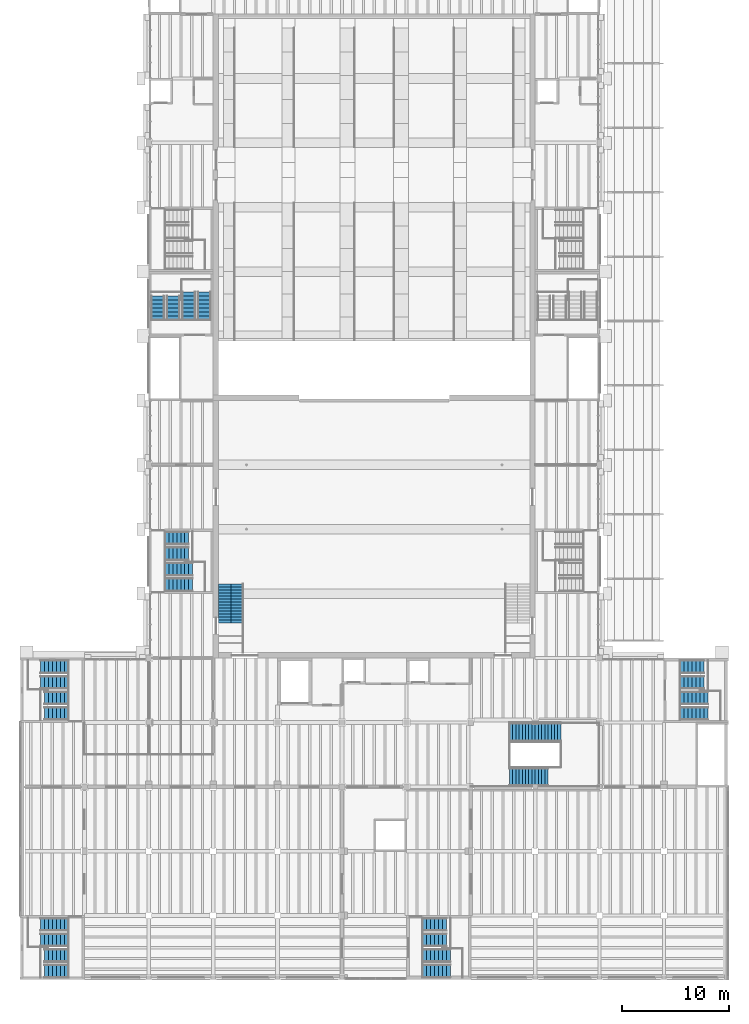
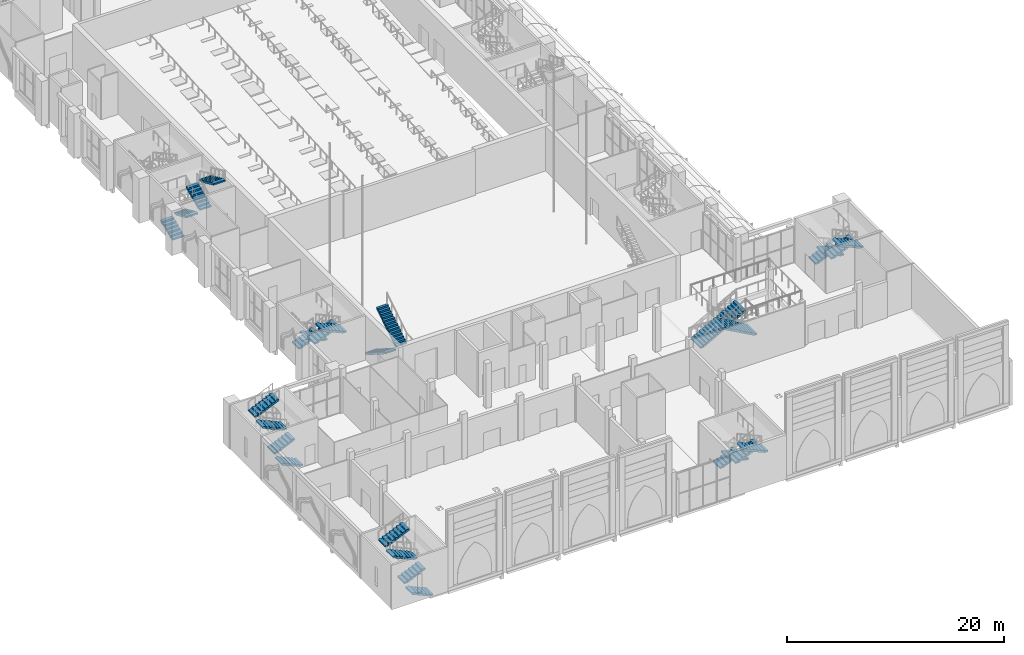
# One storey, part 47 of 80: 28 stair flights, 8 elements without a shape of their own.
"""IFC4 building model written with IfcOpenShell, lengths in metres."""

import ifcopenshell
import ifcopenshell.guid

model = None  # the IFC model being written
_history = None  # IfcOwnerHistory: only IFC2X3 demands one
_inside = {}  # id of a spatial element -> (the spatial element, [elements in it])
_under = {}  # id of a project, library or spatial element -> (it, [spatial elements below it])
_declared = {}  # id of a project -> (the project, [libraries it declares])
_typed = {}  # id of a type object -> (the type object, [elements of that type])
_made_of = {}  # id of a material, layer set ... -> (it, [elements and type objects made of it])


def new_model(schema):
    """Start an empty IFC model of exactly this schema.

    Asked for "IFC4X3", IfcOpenShell would pick the latest addendum, in which some entities
    have other attributes; the version numbers below select the first issue.
    IFC2X3 requires an IfcOwnerHistory on every rooted entity: one is made here for all.
    """
    global model, _history
    if schema == "IFC4X3":
        model = ifcopenshell.file(schema_version=(4, 3, 0, 0))
    else:
        model = ifcopenshell.file(schema=schema)
    _inside.clear()
    _under.clear()
    _declared.clear()
    _typed.clear()
    _made_of.clear()
    _history = None
    if model.schema == "IFC2X3":
        org = make("IfcOrganization", Name="unknown")
        user = make(
            "IfcPersonAndOrganization",
            ThePerson=make("IfcPerson", FamilyName="unknown"),
            TheOrganization=org,
        )
        app = make(
            "IfcApplication",
            ApplicationDeveloper=org,
            Version="unknown",
            ApplicationFullName="unknown",
            ApplicationIdentifier="unknown",
        )
        _history = make(
            "IfcOwnerHistory",
            OwningUser=user,
            OwningApplication=app,
            ChangeAction="ADDED",
            CreationDate=0,
        )
    return model


def make(cls, **values):
    """One entity of the class cls with the attributes given. An attribute that is None is left unset."""
    return model.create_entity(
        cls, **{name: value for name, value in values.items() if value is not None}
    )


def rooted(cls, **values):
    """An entity with a GlobalId (a new one), such as an element, a storey or a relation."""
    return make(cls, GlobalId=ifcopenshell.guid.new(), OwnerHistory=_history, **values)


def si_unit(unit_type, name, prefix=None):
    """IfcSIUnit, for example si_unit("LENGTHUNIT", "METRE", prefix="MILLI")."""
    return make("IfcSIUnit", UnitType=unit_type, Prefix=prefix, Name=name)


def assignment(units):
    """IfcUnitAssignment: the units of a project."""
    return None if units is None else make("IfcUnitAssignment", Units=units)


def point(xyz):
    """IfcCartesianPoint."""
    return None if xyz is None else make("IfcCartesianPoint", Coordinates=xyz)


def direction(xyz):
    """IfcDirection."""
    return None if xyz is None else make("IfcDirection", DirectionRatios=xyz)


def frame(location, z_axis=None, x_axis=None):
    """IfcAxis2Placement3D, a coordinate frame: its origin and axes. An axis left out is left unset."""
    return make(
        "IfcAxis2Placement3D",
        Location=point(location),
        Axis=direction(z_axis),
        RefDirection=direction(x_axis),
    )


def origin():
    """The frame at (0, 0, 0) with its axes left unset."""
    return frame((0.0, 0.0, 0.0))


def place(relative_to, where):
    """IfcLocalPlacement: puts the frame where relative to a parent placement (None: the world)."""
    return make(
        "IfcLocalPlacement", PlacementRelTo=relative_to, RelativePlacement=where
    )


def context(
    kind, dimensions, precision=None, world=None, true_north=None, identifier=None
):
    """IfcGeometricRepresentationContext, for example the 3D "Model" context."""
    return make(
        "IfcGeometricRepresentationContext",
        ContextIdentifier=identifier,
        ContextType=kind,
        CoordinateSpaceDimension=dimensions,
        Precision=precision,
        WorldCoordinateSystem=world,
        TrueNorth=true_north,
    )


def subcontext(parent, identifier, kind, view, scale=None):
    """IfcGeometricRepresentationSubContext, for example "Body" below "Model"."""
    return make(
        "IfcGeometricRepresentationSubContext",
        ContextIdentifier=identifier,
        ContextType=kind,
        ParentContext=parent,
        TargetScale=scale,
        TargetView=view,
    )


def project(units=None, contexts=None):
    """IfcProject with its units and contexts."""
    return rooted(
        "IfcProject",
        Name="project",
        RepresentationContexts=contexts,
        UnitsInContext=assignment(units),
    )


def spatial(cls, under=None, at=None, **own):
    """A site, building, storey or space (cls), placed at a placement, below another one or the project."""
    s = rooted(cls, ObjectPlacement=at, **own)
    if under is not None:
        _under.setdefault(under.id(), (under, []))[1].append(s)
    return s


def polyline(points):
    """IfcPolyline through the points."""
    return make("IfcPolyline", Points=[point(p) for p in points])


def outline(outer, holes=None, kind="AREA"):
    """IfcArbitraryClosedProfileDef: a profile drawn as a closed curve; with holes, ...WithVoids."""
    if holes is None:
        return make("IfcArbitraryClosedProfileDef", ProfileType=kind, OuterCurve=outer)
    return make(
        "IfcArbitraryProfileDefWithVoids",
        ProfileType=kind,
        OuterCurve=outer,
        InnerCurves=holes,
    )


def extrude(swept, where, along, depth):
    """IfcExtrudedAreaSolid: the profile swept, set in the frame where, extruded along a direction by depth."""
    return make(
        "IfcExtrudedAreaSolid",
        SweptArea=swept,
        Position=where,
        ExtrudedDirection=direction(along),
        Depth=depth,
    )


def shape(context_of_items, identifier, shape_type, items):
    """IfcShapeRepresentation: the items that make up one representation, for example the "Body"."""
    return make(
        "IfcShapeRepresentation",
        ContextOfItems=context_of_items,
        RepresentationIdentifier=identifier,
        RepresentationType=shape_type,
        Items=items,
    )


def material(Name=None, Category=None):
    """IfcMaterial."""
    return make("IfcMaterial", Name=Name, Category=Category)


def made_of(thing, what):
    """Note that an element or type object is made of a material, layer set ...; save() writes the relation."""
    if what is not None:
        _made_of.setdefault(what.id(), (what, []))[1].append(thing)
    return thing


def type_object(cls, material=None, **own):
    """A type object (cls), such as IfcWallType, which elements share."""
    return made_of(rooted(cls, **own), material)


def element(
    cls,
    number,
    at=None,
    inside=None,
    cuts=None,
    type_object=None,
    material=None,
    context=None,
    identifier="Body",
    shape_type=None,
    held_by="IfcProductDefinitionShape",
    body=None,
    shapes=None,
    **own,
):
    """One element of the class cls, such as IfcWall. Its Tag is "e" and its number.

    at: its placement. inside: the storey or other place that contains it. cuts: it is an
    opening in that element (IfcRelVoidsElement). A single representation is given by context,
    identifier, shape_type and body (its items); several are given by shapes. held_by: the class
    of the entity that holds the representations. save() writes the other relations.
    """
    e = rooted(cls, Tag="e%d" % number, ObjectPlacement=at, **own)
    if body is not None:
        shapes = [shape(context, identifier, shape_type, body)]
    if shapes is not None:
        e.Representation = make(held_by, Representations=shapes)
    if inside is not None:
        _inside.setdefault(inside.id(), (inside, []))[1].append(e)
    if cuts is not None:
        rooted(
            "IfcRelVoidsElement", RelatingBuildingElement=cuts, RelatedOpeningElement=e
        )
    if type_object is not None:
        _typed.setdefault(type_object.id(), (type_object, []))[1].append(e)
    return made_of(e, material)


def aggregate(whole, parts):
    """IfcRelAggregates: a whole, such as a stair, and the parts it consists of."""
    return rooted("IfcRelAggregates", RelatingObject=whole, RelatedObjects=parts)


def save(model, path):
    """Write the relations noted so far, then the file.

    IfcRelAggregates (storeys below a building ...), IfcRelContainedInSpatialStructure (elements
    in a storey), IfcRelDefinesByType, IfcRelAssociatesMaterial and IfcRelDeclares: one each for
    every whole, place, type object, material and project.
    """
    for whole, parts in _under.values():
        aggregate(whole, parts)
    for where, things in _inside.values():
        rooted(
            "IfcRelContainedInSpatialStructure",
            RelatedElements=things,
            RelatingStructure=where,
        )
    for kind, things in _typed.values():
        rooted("IfcRelDefinesByType", RelatedObjects=things, RelatingType=kind)
    for what, things in _made_of.values():
        rooted("IfcRelAssociatesMaterial", RelatedObjects=things, RelatingMaterial=what)
    for by, libraries in _declared.values():
        rooted("IfcRelDeclares", RelatingContext=by, RelatedDefinitions=libraries)
    model.write(path)


model = new_model("IFC4")

# Units and contexts
model_context = context("Model", 3, precision=1e-05, world=origin(), true_north=direction((0.0, 1.0)))
body_context = subcontext(model_context, "Body", "Model", "MODEL_VIEW")
ifc_project = project(units=[si_unit("LENGTHUNIT", "METRE"), si_unit("AREAUNIT", "SQUARE_METRE"), si_unit("VOLUMEUNIT", "CUBIC_METRE"), si_unit("PLANEANGLEUNIT", "RADIAN"), si_unit("MASSUNIT", "GRAM", prefix="KILO")], contexts=[model_context])

# Site, building, storey
site_placement = place(None, origin())
site = spatial("IfcSite", under=ifc_project, at=site_placement, CompositionType="ELEMENT")
building_placement = place(site_placement, origin())
building = spatial("IfcBuilding", under=site, at=building_placement, Name="Saffron Lane Theatres", CompositionType="ELEMENT")
storey_placement = place(building_placement, frame((0.0, 0.0, 7.0)))
storey = spatial("IfcBuildingStorey", under=building, at=storey_placement, Name="L01", CompositionType="ELEMENT", Elevation=7.0)

# Stair, stair flights
ifc_material_1 = material(Name="Steel Grade 350 stair", Category="steel")
stair_type_1 = type_object("IfcStairType", Name="ST-STEEL STAIR", PredefinedType="HALF_TURN_STAIR", material=ifc_material_1)
stair_1_placement = place(storey_placement, origin())
stair_1 = element("IfcStair", 1, at=stair_1_placement, inside=storey, type_object=stair_type_1, Name="STG1", PredefinedType="HALF_TURN_STAIR")
ifc_material_2 = material(Name="Steel Grade 350 stair", Category="steel")
stair_flight_type_1 = type_object("IfcStairFlightType", Name="ST-STEEL STAIR FLIGHT", PredefinedType="STRAIGHT", material=ifc_material_2)
stair_flight_1_placement = place(storey_placement, frame((19.074951171875, 36.89990234375, 0.0), z_axis=(0.0, 0.0, 1.0), x_axis=(0.0, -1.0, 0.0)))
stair_flight_1 = element("IfcStairFlight", 2, at=stair_flight_1_placement, type_object=stair_flight_type_1, Name="STG1 flight 1", NumberOfRisers=14, NumberOfTreads=13, PredefinedType="STRAIGHT", RiserHeight=0.178571, TreadLength=0.28, context=body_context, shape_type="SweptSolid", body=[
    extrude(outline(polyline([(0.0, 0.0), (0.0, 0.178466796875), (0.280029296875, 0.178466796875), (0.280029296875, 0.357177734375), (0.56005859375, 0.357177734375), (0.56005859375, 0.53564453125), (0.840087890625, 0.53564453125), (0.840087890625, 0.71435546875), (1.1201171875, 0.71435546875), (1.1201171875, 0.892822265625), (1.39990234375, 0.892822265625), (1.39990234375, 1.071533203125), (1.679931640625, 1.071533203125), (1.679931640625, 1.25), (1.9599609375, 1.25), (1.9599609375, 1.428466796875), (2.239990234375, 1.428466796875), (2.239990234375, 1.607177734375), (2.52001953125, 1.607177734375), (2.52001953125, 1.78564453125), (2.800048828125, 1.78564453125), (2.800048828125, 1.96435546875), (3.080078125, 1.96435546875), (3.080078125, 2.142822265625), (3.360107421875, 2.142822265625), (3.360107421875, 2.321533203125), (3.639892578125, 2.321533203125), (3.639892578125, 2.5), (3.639892578125, 2.1435546875), (0.27880859375, 0.0), (0.0, 0.0)])), frame((0.0, 0.574951171875, 0.0), z_axis=(0.0, -1.0, 0.0), x_axis=(1.0, 0.0, 0.0)), (0.0, 0.0, 1.0), 1.14990234375),
])
stair_flight_2_placement = place(storey_placement, frame((20.22509765625, 33.260009765625, 2.5), z_axis=(0.0, 0.0, 1.0), x_axis=(0.0, 1.0, 0.0)))
stair_flight_2 = element("IfcStairFlight", 3, at=stair_flight_2_placement, type_object=stair_flight_type_1, Name="STG1 flight 2", NumberOfRisers=14, NumberOfTreads=13, PredefinedType="STRAIGHT", RiserHeight=0.178571, TreadLength=0.28, context=body_context, shape_type="SweptSolid", body=[
    extrude(outline(polyline([(0.0, 0.0), (0.0, 0.178466796875), (0.280029296875, 0.178466796875), (0.280029296875, 0.357177734375), (0.56005859375, 0.357177734375), (0.56005859375, 0.53564453125), (0.840087890625, 0.53564453125), (0.840087890625, 0.71435546875), (1.1201171875, 0.71435546875), (1.1201171875, 0.892822265625), (1.39990234375, 0.892822265625), (1.39990234375, 1.071533203125), (1.679931640625, 1.071533203125), (1.679931640625, 1.25), (1.9599609375, 1.25), (1.9599609375, 1.428466796875), (2.239990234375, 1.428466796875), (2.239990234375, 1.607177734375), (2.52001953125, 1.607177734375), (2.52001953125, 1.78564453125), (2.800048828125, 1.78564453125), (2.800048828125, 1.96435546875), (3.080078125, 1.96435546875), (3.080078125, 2.142822265625), (3.360107421875, 2.142822265625), (3.360107421875, 2.321533203125), (3.639892578125, 2.321533203125), (3.639892578125, 2.5), (3.639892578125, 2.1435546875), (0.27880859375, 0.0), (0.0, 0.0)])), frame((0.0, 0.574951171875, 0.0), z_axis=(0.0, -1.0, 0.0), x_axis=(1.0, 0.0, 0.0)), (0.0, 0.0, 1.0), 1.14990234375),
])
aggregate(stair_1, [stair_flight_1, stair_flight_2])

ifc_material_3 = material(Name="Concrete N40 (40 MPa)", Category="concrete")
stair_type_2 = type_object("IfcStairType", Name="VC-STAIR EXIT", PredefinedType="TWO_STRAIGHT_RUN_STAIR", material=ifc_material_3)
stair_2_placement = place(storey_placement, origin())
stair_2 = element("IfcStair", 4, at=stair_2_placement, inside=storey, type_object=stair_type_2, Name="Auditorium West Front Stair L01 to L02", PredefinedType="TWO_STRAIGHT_RUN_STAIR")
ifc_material_4 = material(Name="Concrete N40 (40 MPa)", Category="concrete")
stair_flight_type_2 = type_object("IfcStairFlightType", Name="VC-FLIGHT 1250", PredefinedType="STRAIGHT", material=ifc_material_4)
stair_flight_3_placement = place(storey_placement, frame((12.824951171875, 61.5, 0.0), z_axis=(0.0, 0.0, 1.0), x_axis=(0.0, 1.0, 0.0)))
stair_flight_3 = element("IfcStairFlight", 5, at=stair_flight_3_placement, type_object=stair_flight_type_2, Name="Auditorium West Front Stair flight 2.1", NumberOfRisers=7, NumberOfTreads=6, PredefinedType="STRAIGHT", RiserHeight=0.166666667, TreadLength=0.37, context=body_context, shape_type="SweptSolid", body=[
    extrude(outline(polyline([(0.0, 0.0), (0.0, 0.166748046875), (0.3701171875, 0.166748046875), (0.3701171875, 0.333251953125), (0.739990234375, 0.333251953125), (0.739990234375, 0.5), (1.110107421875, 0.5), (1.110107421875, 0.666748046875), (1.47998046875, 0.666748046875), (1.47998046875, 0.833251953125), (1.85009765625, 0.833251953125), (1.85009765625, 1.0), (2.219970703125, 1.0), (2.219970703125, 1.166748046875), (2.219970703125, 0.835693359375), (0.364990234375, 0.0), (0.0, 0.0)])), frame((0.0, 0.625, 0.0), z_axis=(0.0, -1.0, 0.0), x_axis=(1.0, 0.0, 0.0)), (0.0, 0.0, 1.0), 1.25),
])
stair_flight_4_placement = place(storey_placement, frame((14.27490234375, 63.719970703125, 1.166748046875), z_axis=(0.0, 0.0, 1.0), x_axis=(0.0, -1.0, 0.0)))
stair_flight_4 = element("IfcStairFlight", 6, at=stair_flight_4_placement, type_object=stair_flight_type_2, Name="Auditorium West Front Stair flight 2.2", NumberOfRisers=7, NumberOfTreads=6, PredefinedType="STRAIGHT", RiserHeight=0.166666667, TreadLength=0.37, context=body_context, shape_type="SweptSolid", body=[
    extrude(outline(polyline([(0.0, 0.0), (0.0, 0.166748046875), (0.3701171875, 0.166748046875), (0.3701171875, 0.333251953125), (0.739990234375, 0.333251953125), (0.739990234375, 0.5), (1.110107421875, 0.5), (1.110107421875, 0.666748046875), (1.47998046875, 0.666748046875), (1.47998046875, 0.833251953125), (1.85009765625, 0.833251953125), (1.85009765625, 1.0), (2.219970703125, 1.0), (2.219970703125, 1.166748046875), (2.219970703125, 0.835693359375), (0.364990234375, 0.0), (0.0, 0.0)])), frame((0.0, 0.625, 0.0), z_axis=(0.0, -1.0, 0.0), x_axis=(1.0, 0.0, 0.0)), (0.0, 0.0, 1.0), 1.25),
])
stair_flight_5_placement = place(storey_placement, frame((15.72509765625, 61.5, 2.333251953125), z_axis=(0.0, 0.0, 1.0), x_axis=(0.0, 1.0, 0.0)))
stair_flight_5 = element("IfcStairFlight", 7, at=stair_flight_5_placement, type_object=stair_flight_type_2, Name="Auditorium West Front Stair flight 2.3", NumberOfRisers=8, NumberOfTreads=7, PredefinedType="STRAIGHT", RiserHeight=0.166666667, TreadLength=0.37, context=body_context, shape_type="SweptSolid", body=[
    extrude(outline(polyline([(0.0, 0.0), (0.0, 0.166748046875), (0.3701171875, 0.166748046875), (0.3701171875, 0.333251953125), (0.739990234375, 0.333251953125), (0.739990234375, 0.5), (1.110107421875, 0.5), (1.110107421875, 0.666748046875), (1.47998046875, 0.666748046875), (1.47998046875, 0.833251953125), (1.85009765625, 0.833251953125), (1.85009765625, 1.0), (2.219970703125, 1.0), (2.219970703125, 1.166748046875), (2.590087890625, 1.166748046875), (2.590087890625, 1.333251953125), (2.590087890625, 1.002197265625), (0.364990234375, 0.0), (0.0, 0.0)])), frame((0.0, 0.625, 0.0), z_axis=(0.0, -1.0, 0.0), x_axis=(1.0, 0.0, 0.0)), (0.0, 0.0, 1.0), 1.25),
])
stair_flight_6_placement = place(storey_placement, frame((17.175048828125, 64.090087890625, 3.666748046875), z_axis=(0.0, 0.0, 1.0), x_axis=(0.0, -1.0, 0.0)))
stair_flight_6 = element("IfcStairFlight", 8, at=stair_flight_6_placement, type_object=stair_flight_type_2, Name="Auditorium West Front Stair flight 2.4", NumberOfRisers=8, NumberOfTreads=7, PredefinedType="STRAIGHT", RiserHeight=0.166666667, TreadLength=0.37, context=body_context, shape_type="SweptSolid", body=[
    extrude(outline(polyline([(0.0, 0.0), (0.0, 0.166748046875), (0.3701171875, 0.166748046875), (0.3701171875, 0.333251953125), (0.739990234375, 0.333251953125), (0.739990234375, 0.5), (1.110107421875, 0.5), (1.110107421875, 0.666748046875), (1.47998046875, 0.666748046875), (1.47998046875, 0.833251953125), (1.85009765625, 0.833251953125), (1.85009765625, 1.0), (2.219970703125, 1.0), (2.219970703125, 1.166748046875), (2.590087890625, 1.166748046875), (2.590087890625, 1.333251953125), (2.590087890625, 1.002197265625), (0.364990234375, 0.0), (0.0, 0.0)])), frame((0.0, 0.625, 0.0), z_axis=(0.0, -1.0, 0.0), x_axis=(1.0, 0.0, 0.0)), (0.0, 0.0, 1.0), 1.25),
])
aggregate(stair_2, [stair_flight_3, stair_flight_4, stair_flight_5, stair_flight_6])

stair_3_placement = place(storey_placement, origin())
stair_3 = element("IfcStair", 9, at=stair_3_placement, inside=storey, type_object=stair_type_2, Name="Stage West Stair L01 to L02", PredefinedType="TWO_STRAIGHT_RUN_STAIR")
stair_flight_7_placement = place(storey_placement, frame((13.5, 41.175048828125, 0.0), z_axis=(0.0, 0.0, 1.0), x_axis=(1.0, 0.0, 0.0)))
stair_flight_7 = element("IfcStairFlight", 10, at=stair_flight_7_placement, type_object=stair_flight_type_2, Name="Stage West Stair flight 2.1", NumberOfRisers=7, NumberOfTreads=6, PredefinedType="STRAIGHT", RiserHeight=0.166666667, TreadLength=0.37, context=body_context, shape_type="SweptSolid", body=[
    extrude(outline(polyline([(0.0, 0.0), (0.0, 0.166748046875), (0.3701171875, 0.166748046875), (0.3701171875, 0.333251953125), (0.739990234375, 0.333251953125), (0.739990234375, 0.5), (1.110107421875, 0.5), (1.110107421875, 0.666748046875), (1.47998046875, 0.666748046875), (1.47998046875, 0.833251953125), (1.85009765625, 0.833251953125), (1.85009765625, 1.0), (2.219970703125, 1.0), (2.219970703125, 1.166748046875), (2.219970703125, 0.835693359375), (0.364990234375, 0.0), (0.0, 0.0)])), frame((0.0, 0.625, 0.0), z_axis=(0.0, -1.0, 0.0), x_axis=(1.0, 0.0, 0.0)), (0.0, 0.0, 1.0), 1.25),
])
stair_flight_8_placement = place(storey_placement, frame((15.719970703125, 39.72509765625, 1.166748046875), z_axis=(0.0, 0.0, 1.0), x_axis=(-1.0, 0.0, 0.0)))
stair_flight_8 = element("IfcStairFlight", 11, at=stair_flight_8_placement, type_object=stair_flight_type_2, Name="Stage West Stair flight 2.2", NumberOfRisers=7, NumberOfTreads=6, PredefinedType="STRAIGHT", RiserHeight=0.166666667, TreadLength=0.37, context=body_context, shape_type="SweptSolid", body=[
    extrude(outline(polyline([(0.0, 0.0), (0.0, 0.166748046875), (0.3701171875, 0.166748046875), (0.3701171875, 0.333251953125), (0.739990234375, 0.333251953125), (0.739990234375, 0.5), (1.110107421875, 0.5), (1.110107421875, 0.666748046875), (1.47998046875, 0.666748046875), (1.47998046875, 0.833251953125), (1.85009765625, 0.833251953125), (1.85009765625, 1.0), (2.219970703125, 1.0), (2.219970703125, 1.166748046875), (2.219970703125, 0.835693359375), (0.364990234375, 0.0), (0.0, 0.0)])), frame((0.0, 0.625, 0.0), z_axis=(0.0, -1.0, 0.0), x_axis=(1.0, 0.0, 0.0)), (0.0, 0.0, 1.0), 1.25),
])
stair_flight_9_placement = place(storey_placement, frame((13.5, 38.27490234375, 2.333251953125), z_axis=(0.0, 0.0, 1.0), x_axis=(1.0, 0.0, 0.0)))
stair_flight_9 = element("IfcStairFlight", 12, at=stair_flight_9_placement, type_object=stair_flight_type_2, Name="Stage West Stair flight 2.3", NumberOfRisers=8, NumberOfTreads=7, PredefinedType="STRAIGHT", RiserHeight=0.166666667, TreadLength=0.37, context=body_context, shape_type="SweptSolid", body=[
    extrude(outline(polyline([(0.0, 0.0), (0.0, 0.166748046875), (0.3701171875, 0.166748046875), (0.3701171875, 0.333251953125), (0.739990234375, 0.333251953125), (0.739990234375, 0.5), (1.110107421875, 0.5), (1.110107421875, 0.666748046875), (1.47998046875, 0.666748046875), (1.47998046875, 0.833251953125), (1.85009765625, 0.833251953125), (1.85009765625, 1.0), (2.219970703125, 1.0), (2.219970703125, 1.166748046875), (2.590087890625, 1.166748046875), (2.590087890625, 1.333251953125), (2.590087890625, 1.002197265625), (0.364990234375, 0.0), (0.0, 0.0)])), frame((0.0, 0.625, 0.0), z_axis=(0.0, -1.0, 0.0), x_axis=(1.0, 0.0, 0.0)), (0.0, 0.0, 1.0), 1.25),
])
stair_flight_10_placement = place(storey_placement, frame((16.090087890625, 36.824951171875, 3.666748046875), z_axis=(0.0, 0.0, 1.0), x_axis=(-1.0, 0.0, 0.0)))
stair_flight_10 = element("IfcStairFlight", 13, at=stair_flight_10_placement, type_object=stair_flight_type_2, Name="Stage West Stair flight 2.4", NumberOfRisers=8, NumberOfTreads=7, PredefinedType="STRAIGHT", RiserHeight=0.166666667, TreadLength=0.37, context=body_context, shape_type="SweptSolid", body=[
    extrude(outline(polyline([(0.0, 0.0), (0.0, 0.166748046875), (0.3701171875, 0.166748046875), (0.3701171875, 0.333251953125), (0.739990234375, 0.333251953125), (0.739990234375, 0.5), (1.110107421875, 0.5), (1.110107421875, 0.666748046875), (1.47998046875, 0.666748046875), (1.47998046875, 0.833251953125), (1.85009765625, 0.833251953125), (1.85009765625, 1.0), (2.219970703125, 1.0), (2.219970703125, 1.166748046875), (2.590087890625, 1.166748046875), (2.590087890625, 1.333251953125), (2.590087890625, 1.002197265625), (0.364990234375, 0.0), (0.0, 0.0)])), frame((0.0, 0.625, 0.0), z_axis=(0.0, -1.0, 0.0), x_axis=(1.0, 0.0, 0.0)), (0.0, 0.0, 1.0), 1.25),
])
aggregate(stair_3, [stair_flight_7, stair_flight_8, stair_flight_9, stair_flight_10])

stair_4_placement = place(storey_placement, origin())
stair_4 = element("IfcStair", 14, at=stair_4_placement, inside=storey, type_object=stair_type_2, Name="Workshop South West Stair L01 to L02", PredefinedType="TWO_STRAIGHT_RUN_STAIR")
stair_flight_11_placement = place(storey_placement, frame((4.5, 0.824951171875, 0.0), z_axis=(0.0, 0.0, 1.0), x_axis=(-1.0, 0.0, 0.0)))
stair_flight_11 = element("IfcStairFlight", 15, at=stair_flight_11_placement, type_object=stair_flight_type_2, Name="Workshop South West Stair flight 2.1", NumberOfRisers=7, NumberOfTreads=6, PredefinedType="STRAIGHT", RiserHeight=0.166666667, TreadLength=0.37, context=body_context, shape_type="SweptSolid", body=[
    extrude(outline(polyline([(0.0, 0.0), (0.0, 0.166748046875), (0.3701171875, 0.166748046875), (0.3701171875, 0.333251953125), (0.739990234375, 0.333251953125), (0.739990234375, 0.5), (1.110107421875, 0.5), (1.110107421875, 0.666748046875), (1.47998046875, 0.666748046875), (1.47998046875, 0.833251953125), (1.85009765625, 0.833251953125), (1.85009765625, 1.0), (2.219970703125, 1.0), (2.219970703125, 1.166748046875), (2.219970703125, 0.835693359375), (0.364990234375, 0.0), (0.0, 0.0)])), frame((0.0, 0.625, 0.0), z_axis=(0.0, -1.0, 0.0), x_axis=(1.0, 0.0, 0.0)), (0.0, 0.0, 1.0), 1.25),
])
stair_flight_12_placement = place(storey_placement, frame((2.280029296875, 2.27490234375, 1.166748046875), z_axis=(0.0, 0.0, 1.0), x_axis=(1.0, 0.0, 0.0)))
stair_flight_12 = element("IfcStairFlight", 16, at=stair_flight_12_placement, type_object=stair_flight_type_2, Name="Workshop South West Stair flight 2.2", NumberOfRisers=7, NumberOfTreads=6, PredefinedType="STRAIGHT", RiserHeight=0.166666667, TreadLength=0.37, context=body_context, shape_type="SweptSolid", body=[
    extrude(outline(polyline([(0.0, 0.0), (0.0, 0.166748046875), (0.3701171875, 0.166748046875), (0.3701171875, 0.333251953125), (0.739990234375, 0.333251953125), (0.739990234375, 0.5), (1.110107421875, 0.5), (1.110107421875, 0.666748046875), (1.47998046875, 0.666748046875), (1.47998046875, 0.833251953125), (1.85009765625, 0.833251953125), (1.85009765625, 1.0), (2.219970703125, 1.0), (2.219970703125, 1.166748046875), (2.219970703125, 0.835693359375), (0.364990234375, 0.0), (0.0, 0.0)])), frame((0.0, 0.625, 0.0), z_axis=(0.0, -1.0, 0.0), x_axis=(1.0, 0.0, 0.0)), (0.0, 0.0, 1.0), 1.25),
])
stair_flight_13_placement = place(storey_placement, frame((4.5, 3.72509765625, 2.333251953125), z_axis=(0.0, 0.0, 1.0), x_axis=(-1.0, 0.0, 0.0)))
stair_flight_13 = element("IfcStairFlight", 17, at=stair_flight_13_placement, type_object=stair_flight_type_2, Name="Workshop South West Stair flight 2.3", NumberOfRisers=8, NumberOfTreads=7, PredefinedType="STRAIGHT", RiserHeight=0.166666667, TreadLength=0.37, context=body_context, shape_type="SweptSolid", body=[
    extrude(outline(polyline([(0.0, 0.0), (0.0, 0.166748046875), (0.3701171875, 0.166748046875), (0.3701171875, 0.333251953125), (0.739990234375, 0.333251953125), (0.739990234375, 0.5), (1.110107421875, 0.5), (1.110107421875, 0.666748046875), (1.47998046875, 0.666748046875), (1.47998046875, 0.833251953125), (1.85009765625, 0.833251953125), (1.85009765625, 1.0), (2.219970703125, 1.0), (2.219970703125, 1.166748046875), (2.590087890625, 1.166748046875), (2.590087890625, 1.333251953125), (2.590087890625, 1.002197265625), (0.364990234375, 0.0), (0.0, 0.0)])), frame((0.0, 0.625, 0.0), z_axis=(0.0, -1.0, 0.0), x_axis=(1.0, 0.0, 0.0)), (0.0, 0.0, 1.0), 1.25),
])
stair_flight_14_placement = place(storey_placement, frame((1.909912109375, 5.175048828125, 3.666748046875), z_axis=(0.0, 0.0, 1.0), x_axis=(1.0, 0.0, 0.0)))
stair_flight_14 = element("IfcStairFlight", 18, at=stair_flight_14_placement, type_object=stair_flight_type_2, Name="Workshop South West Stair flight 2.4", NumberOfRisers=8, NumberOfTreads=7, PredefinedType="STRAIGHT", RiserHeight=0.166666667, TreadLength=0.37, context=body_context, shape_type="SweptSolid", body=[
    extrude(outline(polyline([(0.0, 0.0), (0.0, 0.166748046875), (0.3701171875, 0.166748046875), (0.3701171875, 0.333251953125), (0.739990234375, 0.333251953125), (0.739990234375, 0.5), (1.110107421875, 0.5), (1.110107421875, 0.666748046875), (1.47998046875, 0.666748046875), (1.47998046875, 0.833251953125), (1.85009765625, 0.833251953125), (1.85009765625, 1.0), (2.219970703125, 1.0), (2.219970703125, 1.166748046875), (2.590087890625, 1.166748046875), (2.590087890625, 1.333251953125), (2.590087890625, 1.002197265625), (0.364990234375, 0.0), (0.0, 0.0)])), frame((0.0, 0.625, 0.0), z_axis=(0.0, -1.0, 0.0), x_axis=(1.0, 0.0, 0.0)), (0.0, 0.0, 1.0), 1.25),
])
aggregate(stair_4, [stair_flight_11, stair_flight_12, stair_flight_13, stair_flight_14])

stair_5_placement = place(storey_placement, origin())
stair_5 = element("IfcStair", 19, at=stair_5_placement, inside=storey, type_object=stair_type_2, Name="Studio South Stair L01 to L02", PredefinedType="TWO_STRAIGHT_RUN_STAIR")
stair_flight_15_placement = place(storey_placement, frame((37.5, 5.175048828125, 0.0), z_axis=(0.0, 0.0, 1.0), x_axis=(1.0, 0.0, 0.0)))
stair_flight_15 = element("IfcStairFlight", 20, at=stair_flight_15_placement, type_object=stair_flight_type_2, Name="Studio South Stair flight 2.1", NumberOfRisers=7, NumberOfTreads=6, PredefinedType="STRAIGHT", RiserHeight=0.166666667, TreadLength=0.37, context=body_context, shape_type="SweptSolid", body=[
    extrude(outline(polyline([(0.0, 0.0), (0.0, 0.166748046875), (0.3701171875, 0.166748046875), (0.3701171875, 0.333251953125), (0.739990234375, 0.333251953125), (0.739990234375, 0.5), (1.110107421875, 0.5), (1.110107421875, 0.666748046875), (1.47998046875, 0.666748046875), (1.47998046875, 0.833251953125), (1.85009765625, 0.833251953125), (1.85009765625, 1.0), (2.219970703125, 1.0), (2.219970703125, 1.166748046875), (2.219970703125, 0.835693359375), (0.364990234375, 0.0), (0.0, 0.0)])), frame((0.0, 0.625, 0.0), z_axis=(0.0, -1.0, 0.0), x_axis=(1.0, 0.0, 0.0)), (0.0, 0.0, 1.0), 1.25),
])
stair_flight_16_placement = place(storey_placement, frame((39.719970703125, 3.72509765625, 1.166748046875), z_axis=(0.0, 0.0, 1.0), x_axis=(-1.0, 0.0, 0.0)))
stair_flight_16 = element("IfcStairFlight", 21, at=stair_flight_16_placement, type_object=stair_flight_type_2, Name="Studio South Stair flight 2.2", NumberOfRisers=7, NumberOfTreads=6, PredefinedType="STRAIGHT", RiserHeight=0.166666667, TreadLength=0.37, context=body_context, shape_type="SweptSolid", body=[
    extrude(outline(polyline([(0.0, 0.0), (0.0, 0.166748046875), (0.3701171875, 0.166748046875), (0.3701171875, 0.333251953125), (0.739990234375, 0.333251953125), (0.739990234375, 0.5), (1.110107421875, 0.5), (1.110107421875, 0.666748046875), (1.47998046875, 0.666748046875), (1.47998046875, 0.833251953125), (1.85009765625, 0.833251953125), (1.85009765625, 1.0), (2.219970703125, 1.0), (2.219970703125, 1.166748046875), (2.219970703125, 0.835693359375), (0.364990234375, 0.0), (0.0, 0.0)])), frame((0.0, 0.625, 0.0), z_axis=(0.0, -1.0, 0.0), x_axis=(1.0, 0.0, 0.0)), (0.0, 0.0, 1.0), 1.25),
])
stair_flight_17_placement = place(storey_placement, frame((37.5, 2.27490234375, 2.333251953125), z_axis=(0.0, 0.0, 1.0), x_axis=(1.0, 0.0, 0.0)))
stair_flight_17 = element("IfcStairFlight", 22, at=stair_flight_17_placement, type_object=stair_flight_type_2, Name="Studio South Stair flight 2.3", NumberOfRisers=8, NumberOfTreads=7, PredefinedType="STRAIGHT", RiserHeight=0.166666667, TreadLength=0.37, context=body_context, shape_type="SweptSolid", body=[
    extrude(outline(polyline([(0.0, 0.0), (0.0, 0.166748046875), (0.3701171875, 0.166748046875), (0.3701171875, 0.333251953125), (0.739990234375, 0.333251953125), (0.739990234375, 0.5), (1.110107421875, 0.5), (1.110107421875, 0.666748046875), (1.47998046875, 0.666748046875), (1.47998046875, 0.833251953125), (1.85009765625, 0.833251953125), (1.85009765625, 1.0), (2.219970703125, 1.0), (2.219970703125, 1.166748046875), (2.590087890625, 1.166748046875), (2.590087890625, 1.333251953125), (2.590087890625, 1.002197265625), (0.364990234375, 0.0), (0.0, 0.0)])), frame((0.0, 0.625, 0.0), z_axis=(0.0, -1.0, 0.0), x_axis=(1.0, 0.0, 0.0)), (0.0, 0.0, 1.0), 1.25),
])
stair_flight_18_placement = place(storey_placement, frame((40.090087890625, 0.824951171875, 3.666748046875), z_axis=(0.0, 0.0, 1.0), x_axis=(-1.0, 0.0, 0.0)))
stair_flight_18 = element("IfcStairFlight", 23, at=stair_flight_18_placement, type_object=stair_flight_type_2, Name="Studio South Stair flight 2.4", NumberOfRisers=8, NumberOfTreads=7, PredefinedType="STRAIGHT", RiserHeight=0.166666667, TreadLength=0.37, context=body_context, shape_type="SweptSolid", body=[
    extrude(outline(polyline([(0.0, 0.0), (0.0, 0.166748046875), (0.3701171875, 0.166748046875), (0.3701171875, 0.333251953125), (0.739990234375, 0.333251953125), (0.739990234375, 0.5), (1.110107421875, 0.5), (1.110107421875, 0.666748046875), (1.47998046875, 0.666748046875), (1.47998046875, 0.833251953125), (1.85009765625, 0.833251953125), (1.85009765625, 1.0), (2.219970703125, 1.0), (2.219970703125, 1.166748046875), (2.590087890625, 1.166748046875), (2.590087890625, 1.333251953125), (2.590087890625, 1.002197265625), (0.364990234375, 0.0), (0.0, 0.0)])), frame((0.0, 0.625, 0.0), z_axis=(0.0, -1.0, 0.0), x_axis=(1.0, 0.0, 0.0)), (0.0, 0.0, 1.0), 1.25),
])
aggregate(stair_5, [stair_flight_15, stair_flight_16, stair_flight_17, stair_flight_18])

stair_6_placement = place(storey_placement, origin())
stair_6 = element("IfcStair", 24, at=stair_6_placement, inside=storey, type_object=stair_type_2, Name="Workshop North Stair L01 to L02", PredefinedType="TWO_STRAIGHT_RUN_STAIR")
stair_flight_19_placement = place(storey_placement, frame((4.5, 24.824951171875, 0.0), z_axis=(0.0, 0.0, 1.0), x_axis=(-1.0, 0.0, 0.0)))
stair_flight_19 = element("IfcStairFlight", 25, at=stair_flight_19_placement, type_object=stair_flight_type_2, Name="Workshop North Stair flight 2.1", NumberOfRisers=7, NumberOfTreads=6, PredefinedType="STRAIGHT", RiserHeight=0.166666667, TreadLength=0.37, context=body_context, shape_type="SweptSolid", body=[
    extrude(outline(polyline([(0.0, 0.0), (0.0, 0.166748046875), (0.3701171875, 0.166748046875), (0.3701171875, 0.333251953125), (0.739990234375, 0.333251953125), (0.739990234375, 0.5), (1.110107421875, 0.5), (1.110107421875, 0.666748046875), (1.47998046875, 0.666748046875), (1.47998046875, 0.833251953125), (1.85009765625, 0.833251953125), (1.85009765625, 1.0), (2.219970703125, 1.0), (2.219970703125, 1.166748046875), (2.219970703125, 0.835693359375), (0.364990234375, 0.0), (0.0, 0.0)])), frame((0.0, 0.625, 0.0), z_axis=(0.0, -1.0, 0.0), x_axis=(1.0, 0.0, 0.0)), (0.0, 0.0, 1.0), 1.25),
])
stair_flight_20_placement = place(storey_placement, frame((2.280029296875, 26.27490234375, 1.166748046875), z_axis=(0.0, 0.0, 1.0), x_axis=(1.0, 0.0, 0.0)))
stair_flight_20 = element("IfcStairFlight", 26, at=stair_flight_20_placement, type_object=stair_flight_type_2, Name="Workshop North Stair flight 2.2", NumberOfRisers=7, NumberOfTreads=6, PredefinedType="STRAIGHT", RiserHeight=0.166666667, TreadLength=0.37, context=body_context, shape_type="SweptSolid", body=[
    extrude(outline(polyline([(0.0, 0.0), (0.0, 0.166748046875), (0.3701171875, 0.166748046875), (0.3701171875, 0.333251953125), (0.739990234375, 0.333251953125), (0.739990234375, 0.5), (1.110107421875, 0.5), (1.110107421875, 0.666748046875), (1.47998046875, 0.666748046875), (1.47998046875, 0.833251953125), (1.85009765625, 0.833251953125), (1.85009765625, 1.0), (2.219970703125, 1.0), (2.219970703125, 1.166748046875), (2.219970703125, 0.835693359375), (0.364990234375, 0.0), (0.0, 0.0)])), frame((0.0, 0.625, 0.0), z_axis=(0.0, -1.0, 0.0), x_axis=(1.0, 0.0, 0.0)), (0.0, 0.0, 1.0), 1.25),
])
stair_flight_21_placement = place(storey_placement, frame((4.5, 27.72509765625, 2.333251953125), z_axis=(0.0, 0.0, 1.0), x_axis=(-1.0, 0.0, 0.0)))
stair_flight_21 = element("IfcStairFlight", 27, at=stair_flight_21_placement, type_object=stair_flight_type_2, Name="Workshop North Stair flight 2.3", NumberOfRisers=8, NumberOfTreads=7, PredefinedType="STRAIGHT", RiserHeight=0.166666667, TreadLength=0.37, context=body_context, shape_type="SweptSolid", body=[
    extrude(outline(polyline([(0.0, 0.0), (0.0, 0.166748046875), (0.3701171875, 0.166748046875), (0.3701171875, 0.333251953125), (0.739990234375, 0.333251953125), (0.739990234375, 0.5), (1.110107421875, 0.5), (1.110107421875, 0.666748046875), (1.47998046875, 0.666748046875), (1.47998046875, 0.833251953125), (1.85009765625, 0.833251953125), (1.85009765625, 1.0), (2.219970703125, 1.0), (2.219970703125, 1.166748046875), (2.590087890625, 1.166748046875), (2.590087890625, 1.333251953125), (2.590087890625, 1.002197265625), (0.364990234375, 0.0), (0.0, 0.0)])), frame((0.0, 0.625, 0.0), z_axis=(0.0, -1.0, 0.0), x_axis=(1.0, 0.0, 0.0)), (0.0, 0.0, 1.0), 1.25),
])
stair_flight_22_placement = place(storey_placement, frame((1.909912109375, 29.175048828125, 3.666748046875), z_axis=(0.0, 0.0, 1.0), x_axis=(1.0, 0.0, 0.0)))
stair_flight_22 = element("IfcStairFlight", 28, at=stair_flight_22_placement, type_object=stair_flight_type_2, Name="Workshop North Stair flight 2.4", NumberOfRisers=8, NumberOfTreads=7, PredefinedType="STRAIGHT", RiserHeight=0.166666667, TreadLength=0.37, context=body_context, shape_type="SweptSolid", body=[
    extrude(outline(polyline([(0.0, 0.0), (0.0, 0.166748046875), (0.3701171875, 0.166748046875), (0.3701171875, 0.333251953125), (0.739990234375, 0.333251953125), (0.739990234375, 0.5), (1.110107421875, 0.5), (1.110107421875, 0.666748046875), (1.47998046875, 0.666748046875), (1.47998046875, 0.833251953125), (1.85009765625, 0.833251953125), (1.85009765625, 1.0), (2.219970703125, 1.0), (2.219970703125, 1.166748046875), (2.590087890625, 1.166748046875), (2.590087890625, 1.333251953125), (2.590087890625, 1.002197265625), (0.364990234375, 0.0), (0.0, 0.0)])), frame((0.0, 0.625, 0.0), z_axis=(0.0, -1.0, 0.0), x_axis=(1.0, 0.0, 0.0)), (0.0, 0.0, 1.0), 1.25),
])
aggregate(stair_6, [stair_flight_19, stair_flight_20, stair_flight_21, stair_flight_22])

stair_7_placement = place(storey_placement, origin())
stair_7 = element("IfcStair", 29, at=stair_7_placement, inside=storey, type_object=stair_type_2, Name="Studio North Stair L01 to L02", PredefinedType="TWO_STRAIGHT_RUN_STAIR")
stair_flight_23_placement = place(storey_placement, frame((61.5, 29.175048828125, 0.0), z_axis=(0.0, 0.0, 1.0), x_axis=(1.0, 0.0, 0.0)))
stair_flight_23 = element("IfcStairFlight", 30, at=stair_flight_23_placement, type_object=stair_flight_type_2, Name="Studio North Stair flight 2.1", NumberOfRisers=7, NumberOfTreads=6, PredefinedType="STRAIGHT", RiserHeight=0.166666667, TreadLength=0.37, context=body_context, shape_type="SweptSolid", body=[
    extrude(outline(polyline([(0.0, 0.0), (0.0, 0.166748046875), (0.3701171875, 0.166748046875), (0.3701171875, 0.333251953125), (0.739990234375, 0.333251953125), (0.739990234375, 0.5), (1.110107421875, 0.5), (1.110107421875, 0.666748046875), (1.47998046875, 0.666748046875), (1.47998046875, 0.833251953125), (1.85009765625, 0.833251953125), (1.85009765625, 1.0), (2.219970703125, 1.0), (2.219970703125, 1.166748046875), (2.219970703125, 0.835693359375), (0.364990234375, 0.0), (0.0, 0.0)])), frame((0.0, 0.625, 0.0), z_axis=(0.0, -1.0, 0.0), x_axis=(1.0, 0.0, 0.0)), (0.0, 0.0, 1.0), 1.25),
])
stair_flight_24_placement = place(storey_placement, frame((63.719970703125, 27.72509765625, 1.166748046875), z_axis=(0.0, 0.0, 1.0), x_axis=(-1.0, 0.0, 0.0)))
stair_flight_24 = element("IfcStairFlight", 31, at=stair_flight_24_placement, type_object=stair_flight_type_2, Name="Studio North Stair flight 2.2", NumberOfRisers=7, NumberOfTreads=6, PredefinedType="STRAIGHT", RiserHeight=0.166666667, TreadLength=0.37, context=body_context, shape_type="SweptSolid", body=[
    extrude(outline(polyline([(0.0, 0.0), (0.0, 0.166748046875), (0.3701171875, 0.166748046875), (0.3701171875, 0.333251953125), (0.739990234375, 0.333251953125), (0.739990234375, 0.5), (1.110107421875, 0.5), (1.110107421875, 0.666748046875), (1.47998046875, 0.666748046875), (1.47998046875, 0.833251953125), (1.85009765625, 0.833251953125), (1.85009765625, 1.0), (2.219970703125, 1.0), (2.219970703125, 1.166748046875), (2.219970703125, 0.835693359375), (0.364990234375, 0.0), (0.0, 0.0)])), frame((0.0, 0.625, 0.0), z_axis=(0.0, -1.0, 0.0), x_axis=(1.0, 0.0, 0.0)), (0.0, 0.0, 1.0), 1.25),
])
stair_flight_25_placement = place(storey_placement, frame((61.5, 26.27490234375, 2.333251953125), z_axis=(0.0, 0.0, 1.0), x_axis=(1.0, 0.0, 0.0)))
stair_flight_25 = element("IfcStairFlight", 32, at=stair_flight_25_placement, type_object=stair_flight_type_2, Name="Studio North Stair flight 2.3", NumberOfRisers=8, NumberOfTreads=7, PredefinedType="STRAIGHT", RiserHeight=0.166666667, TreadLength=0.37, context=body_context, shape_type="SweptSolid", body=[
    extrude(outline(polyline([(0.0, 0.0), (0.0, 0.166748046875), (0.3701171875, 0.166748046875), (0.3701171875, 0.333251953125), (0.739990234375, 0.333251953125), (0.739990234375, 0.5), (1.110107421875, 0.5), (1.110107421875, 0.666748046875), (1.47998046875, 0.666748046875), (1.47998046875, 0.833251953125), (1.85009765625, 0.833251953125), (1.85009765625, 1.0), (2.219970703125, 1.0), (2.219970703125, 1.166748046875), (2.590087890625, 1.166748046875), (2.590087890625, 1.333251953125), (2.590087890625, 1.002197265625), (0.364990234375, 0.0), (0.0, 0.0)])), frame((0.0, 0.625, 0.0), z_axis=(0.0, -1.0, 0.0), x_axis=(1.0, 0.0, 0.0)), (0.0, 0.0, 1.0), 1.25),
])
stair_flight_26_placement = place(storey_placement, frame((64.090087890625, 24.824951171875, 3.666748046875), z_axis=(0.0, 0.0, 1.0), x_axis=(-1.0, 0.0, 0.0)))
stair_flight_26 = element("IfcStairFlight", 33, at=stair_flight_26_placement, type_object=stair_flight_type_2, Name="Studio North Stair flight 2.4", NumberOfRisers=8, NumberOfTreads=7, PredefinedType="STRAIGHT", RiserHeight=0.166666667, TreadLength=0.37, context=body_context, shape_type="SweptSolid", body=[
    extrude(outline(polyline([(0.0, 0.0), (0.0, 0.166748046875), (0.3701171875, 0.166748046875), (0.3701171875, 0.333251953125), (0.739990234375, 0.333251953125), (0.739990234375, 0.5), (1.110107421875, 0.5), (1.110107421875, 0.666748046875), (1.47998046875, 0.666748046875), (1.47998046875, 0.833251953125), (1.85009765625, 0.833251953125), (1.85009765625, 1.0), (2.219970703125, 1.0), (2.219970703125, 1.166748046875), (2.590087890625, 1.166748046875), (2.590087890625, 1.333251953125), (2.590087890625, 1.002197265625), (0.364990234375, 0.0), (0.0, 0.0)])), frame((0.0, 0.625, 0.0), z_axis=(0.0, -1.0, 0.0), x_axis=(1.0, 0.0, 0.0)), (0.0, 0.0, 1.0), 1.25),
])
aggregate(stair_7, [stair_flight_23, stair_flight_24, stair_flight_25, stair_flight_26])

ifc_material_5 = material(Name="Concrete N40 (40 MPa)", Category="concrete")
stair_type_3 = type_object("IfcStairType", Name="VC-STAIR FOYER", PredefinedType="TWO_STRAIGHT_RUN_STAIR", material=ifc_material_5)
stair_8_placement = place(storey_placement, origin())
stair_8 = element("IfcStair", 34, at=stair_8_placement, inside=storey, type_object=stair_type_3, Name="Studio Foyer Stair L01 to L02", PredefinedType="TWO_STRAIGHT_RUN_STAIR")
ifc_material_6 = material(Name="Concrete N40 (40 MPa)", Category="concrete")
stair_flight_type_3 = type_object("IfcStairFlightType", Name="VC-FLIGHT 1850", PredefinedType="STRAIGHT", material=ifc_material_6)
stair_flight_27_placement = place(storey_placement, frame((45.60009765625, 23.074951171875, 0.0), z_axis=(0.0, 0.0, 1.0), x_axis=(1.0, 0.0, 0.0)))
stair_flight_27 = element("IfcStairFlight", 35, at=stair_flight_27_placement, type_object=stair_flight_type_3, Name="Studio Foyer Stair flight 2.1", NumberOfRisers=17, NumberOfTreads=16, PredefinedType="STRAIGHT", RiserHeight=0.166666667, TreadLength=0.3, context=body_context, shape_type="SweptSolid", body=[
    extrude(outline(polyline([(0.0, 0.0), (0.0, 0.166748046875), (0.300048828125, 0.166748046875), (0.300048828125, 0.333251953125), (0.60009765625, 0.333251953125), (0.60009765625, 0.5), (0.89990234375, 0.5), (0.89990234375, 0.666748046875), (1.199951171875, 0.666748046875), (1.199951171875, 0.833251953125), (1.5, 0.833251953125), (1.5, 1.0), (1.800048828125, 1.0), (1.800048828125, 1.166748046875), (2.10009765625, 1.166748046875), (2.10009765625, 1.333251953125), (2.39990234375, 1.333251953125), (2.39990234375, 1.5), (2.699951171875, 1.5), (2.699951171875, 1.666748046875), (3.0, 1.666748046875), (3.0, 1.833251953125), (3.300048828125, 1.833251953125), (3.300048828125, 2.0), (3.60009765625, 2.0), (3.60009765625, 2.166748046875), (3.89990234375, 2.166748046875), (3.89990234375, 2.333251953125), (4.199951171875, 2.333251953125), (4.199951171875, 2.5), (4.5, 2.5), (4.5, 2.666748046875), (4.800048828125, 2.666748046875), (4.800048828125, 2.833251953125), (4.800048828125, 2.4951171875), (0.30859375, 0.0), (0.0, 0.0)])), frame((0.0, 0.925048828125, 0.0), z_axis=(0.0, -1.0, 0.0), x_axis=(1.0, 0.0, 0.0)), (0.0, 0.0, 1.0), 1.85009765625),
])
stair_flight_28_placement = place(storey_placement, frame((49.199951171875, 18.925048828125, 2.833251953125), z_axis=(0.0, 0.0, 1.0), x_axis=(-1.0, 0.0, 0.0)))
stair_flight_28 = element("IfcStairFlight", 36, at=stair_flight_28_placement, type_object=stair_flight_type_3, Name="Studio Foyer Stair flight 2.2", NumberOfRisers=13, NumberOfTreads=12, PredefinedType="STRAIGHT", RiserHeight=0.166666667, TreadLength=0.3, context=body_context, shape_type="SweptSolid", body=[
    extrude(outline(polyline([(0.0, 0.0), (0.0, 0.166748046875), (0.300048828125, 0.166748046875), (0.300048828125, 0.333251953125), (0.60009765625, 0.333251953125), (0.60009765625, 0.5), (0.89990234375, 0.5), (0.89990234375, 0.666748046875), (1.199951171875, 0.666748046875), (1.199951171875, 0.833251953125), (1.5, 0.833251953125), (1.5, 1.0), (1.800048828125, 1.0), (1.800048828125, 1.166748046875), (2.10009765625, 1.166748046875), (2.10009765625, 1.333251953125), (2.39990234375, 1.333251953125), (2.39990234375, 1.5), (2.699951171875, 1.5), (2.699951171875, 1.666748046875), (3.0, 1.666748046875), (3.0, 1.833251953125), (3.300048828125, 1.833251953125), (3.300048828125, 2.0), (3.60009765625, 2.0), (3.60009765625, 2.166748046875), (3.60009765625, 1.82861328125), (0.30859375, 0.0), (0.0, 0.0)])), frame((0.0, 0.925048828125, 0.0), z_axis=(0.0, -1.0, 0.0), x_axis=(1.0, 0.0, 0.0)), (0.0, 0.0, 1.0), 1.85009765625),
])
aggregate(stair_8, [stair_flight_27, stair_flight_28])

save(model, "model.ifc")
